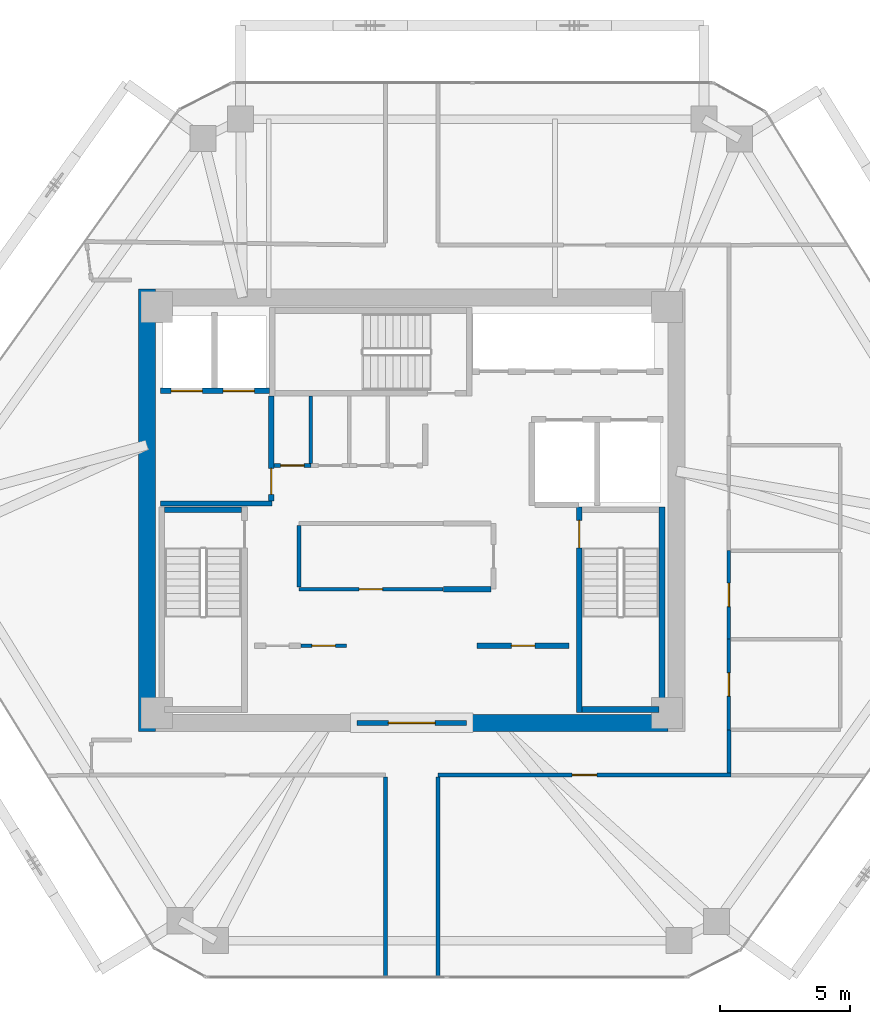
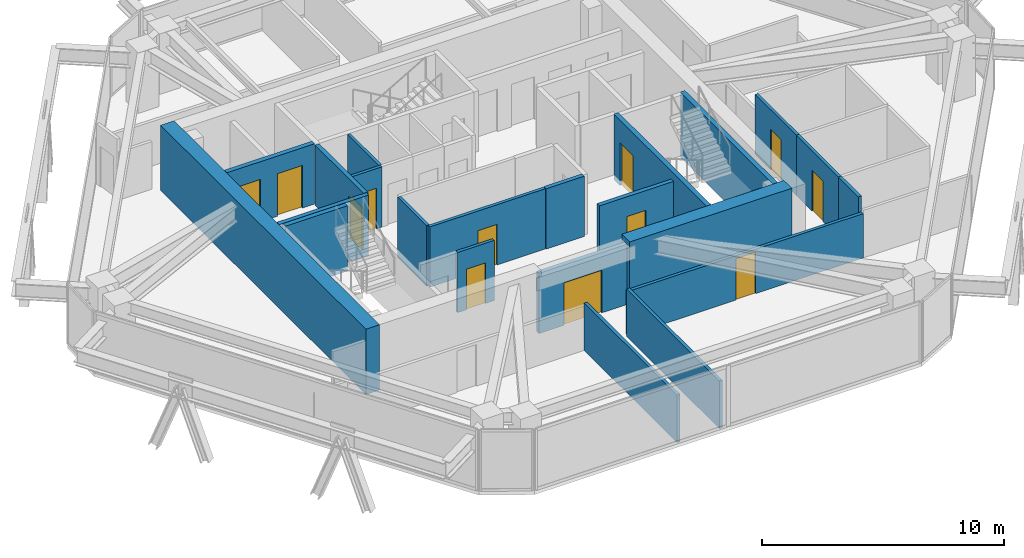
# One storey, part 10 of 13: 23 walls, 12 doors, 12 openings.
"""IFC4 building model written with IfcOpenShell, lengths in metres."""

from ifc_helpers import new_model, si_unit, direction, frame, frame_2d, origin, place, context, subcontext, project, spatial, rectangle, extrude, source, transform, mapped, material, layer, layer_set, type_object, type_shapes, element, fill, save


model = new_model("IFC4")

# Units and contexts
model_context = context("Model", 3, precision=1e-05, world=origin(), true_north=direction((0.0, 1.0)))
body_context = subcontext(model_context, "Body", "Model", "MODEL_VIEW")
ifc_project = project(units=[si_unit("LENGTHUNIT", "METRE"), si_unit("AREAUNIT", "SQUARE_METRE"), si_unit("VOLUMEUNIT", "CUBIC_METRE"), si_unit("PLANEANGLEUNIT", "RADIAN"), si_unit("MASSUNIT", "GRAM", prefix="KILO")], contexts=[model_context])

# Site, building, storey
site_placement = place(None, origin())
site = spatial("IfcSite", under=ifc_project, at=site_placement, CompositionType="ELEMENT")
building_placement = place(site_placement, origin())
building = spatial("IfcBuilding", under=site, at=building_placement, Name="Durnholm Broadcast Tower", CompositionType="ELEMENT")
storey_placement = place(building_placement, frame((0.0, 0.0, 167.199951171875)))
storey = spatial("IfcBuildingStorey", under=building, at=storey_placement, Name="L45", CompositionType="ELEMENT", Elevation=167.199951171875)

# Walls
ifc_material_1 = material(Name="Concrete C70/85", Category="concrete")
ifc_layer_1 = layer(ifc_material_1, 0.64990234375)
ifc_layer_set_1 = layer_set([ifc_layer_1], Name="Concrete C70/85")
wall_type_1 = type_object("IfcWallType", Name="WALL-CW-650", PredefinedType="SHEAR", material=ifc_layer_set_1)
wall_1_placement = place(storey_placement, frame((-10.175048828125, -8.5, 0.0), z_axis=(0.0, 0.0, 1.0), x_axis=(0.0, 1.0, 0.0)))
element("IfcWall", 1, at=wall_1_placement, inside=storey, type_object=wall_type_1, Name="L45 central core shear wall CW-WEST", PredefinedType="SHEAR", context=body_context, shape_type="SweptSolid", body=[
    extrude(rectangle(XDim=17.0, YDim=0.64990234375, at=frame_2d((8.5, 0.0))), origin(), (0.0, 0.0, 1.0), 3.300048828125),
])
wall_2_placement = place(storey_placement, frame((2.10009765625, -8.175048828125, 0.0), z_axis=(0.0, 0.0, 1.0), x_axis=(1.0, 0.0, 0.0)))
element("IfcWall", 2, at=wall_2_placement, inside=storey, type_object=wall_type_1, Name="L45 central core shear wall CW-S2", PredefinedType="SHEAR", context=body_context, shape_type="SweptSolid", body=[
    extrude(rectangle(XDim=7.75, YDim=0.64990234375, at=frame_2d((3.875, 0.0))), origin(), (0.0, 0.0, 1.0), 3.300048828125),
])

# Wall, opening, door
ifc_material_2 = material(Name="Fire-Rated Gypsum Shaftwall", Category="concrete")
ifc_layer_2 = layer(ifc_material_2, 0.199951171875)
ifc_layer_set_2 = layer_set([ifc_layer_2], Name="Fire-Rated Gypsum Shaftwall")
wall_type_2 = type_object("IfcWallType", Name="WALL-LOB-200", PredefinedType="SOLIDWALL", material=ifc_layer_set_2)
wall_3_placement = place(storey_placement, frame((-2.10009765625, -8.175048828125, 0.0), z_axis=(0.0, 0.0, 1.0), x_axis=(1.0, 0.0, 0.0)))
wall_3 = element("IfcWall", 3, at=wall_3_placement, inside=storey, type_object=wall_type_2, Name="L45 south core lobby fire screen", PredefinedType="SOLIDWALL", context=body_context, shape_type="SweptSolid", body=[
    extrude(rectangle(XDim=4.2001953125, YDim=0.199951171875, at=frame_2d((2.10009765625, 0.0))), origin(), (0.0, 0.0, 1.0), 3.045166015625),
])
opening_1_placement = place(wall_3_placement, frame((1.199951171875, 0.0, 0.0)))
opening_1 = element("IfcOpeningElement", 4, at=opening_1_placement, cuts=wall_3, Name="Opening DP-60", PredefinedType="OPENING", context=body_context, shape_type="SweptSolid", body=[
    extrude(rectangle(XDim=1.800048828125, YDim=2.14990234375, at=frame_2d((0.89990234375, 1.074951171875))), frame((0.0, 0.10986328125, 0.0), z_axis=(0.0, -1.0, 0.0), x_axis=(1.0, 0.0, 0.0)), (0.0, 0.0, 1.0), 0.219970703125),
])
ifc_material_3 = material(Name="Fire-Rated Double Corridor Door", Category="steel")
ifc_layer_3 = layer(ifc_material_3, 0.050048828125)
ifc_layer_set_3 = layer_set([ifc_layer_3], Name="Fire-Rated Double Corridor Door")
door_type_1 = type_object("IfcDoorType", Name="DOOR-PAIR-FD60", OperationType="DOUBLE_DOOR_SINGLE_SWING", PredefinedType="DOOR", material=ifc_layer_set_3)
shared_shape_1 = source(origin(), body_context, "Body", "SweptSolid", [
    extrude(rectangle(XDim=1.800048828125, YDim=2.14990234375, at=frame_2d((0.89990234375, 1.074951171875))), frame((0.0, 0.02490234375, 0.0), z_axis=(0.0, -1.0, 0.0), x_axis=(1.0, 0.0, 0.0)), (0.0, 0.0, 1.0), 0.050048828125),
])
type_shapes(door_type_1, [shared_shape_1])
door_1_placement = place(opening_1_placement, origin())
door_1 = element("IfcDoor", 5, at=door_1_placement, inside=storey, type_object=door_type_1, Name="L45 south core lobby double fire door", OperationType="DOUBLE_DOOR_SINGLE_SWING", OverallHeight=2.14990234375, OverallWidth=1.800048828125, PredefinedType="DOOR", context=body_context, shape_type="MappedRepresentation", body=[
    mapped(shared_shape_1, transform((0.0, 0.0, 0.0), x_axis=(1.0, 0.0, 0.0), y_axis=(0.0, 1.0, 0.0), z_axis=(0.0, 0.0, 1.0), scale=1.0)),
])
fill(opening_1, door_1)

# Wall
wall_4_placement = place(storey_placement, frame((-9.64990234375, 0.25, 0.0), z_axis=(0.0, 0.0, 1.0), x_axis=(1.0, 0.0, 0.0)))
element("IfcWall", 6, at=wall_4_placement, inside=storey, type_object=wall_type_2, Name="L45 Fire Service Access Elevator lobby south wall", PredefinedType="SOLIDWALL", context=body_context, shape_type="SweptSolid", body=[
    extrude(rectangle(XDim=4.27001953125, YDim=0.199951171875, at=frame_2d((2.135009765625, 0.0))), origin(), (0.0, 0.0, 1.0), 3.045166015625),
])

# Wall, opening, door
wall_5_placement = place(storey_placement, frame((-5.39990234375, 0.35400390625, 0.0), z_axis=(0.0, 0.0, 1.0), x_axis=(0.0, 1.0, 0.0)))
wall_5 = element("IfcWall", 7, at=wall_5_placement, inside=storey, type_object=wall_type_2, Name="L45 Fire Service Access Elevator lobby east fire wall", PredefinedType="SOLIDWALL", context=body_context, shape_type="SweptSolid", body=[
    extrude(rectangle(XDim=4.02587890625, YDim=0.199951171875, at=frame_2d((2.012939453125, 0.0))), origin(), (0.0, 0.0, 1.0), 3.045166015625),
])
opening_2_placement = place(wall_5_placement, frame((0.24609375, 0.0, 0.0)))
opening_2 = element("IfcOpeningElement", 8, at=opening_2_placement, cuts=wall_5, Name="Opening DL-60R", PredefinedType="OPENING", context=body_context, shape_type="SweptSolid", body=[
    extrude(rectangle(XDim=1.0, YDim=2.14990234375, at=frame_2d((0.5, 1.074951171875))), frame((0.0, 0.10986328125, 0.0), z_axis=(0.0, -1.0, 0.0), x_axis=(1.0, 0.0, 0.0)), (0.0, 0.0, 1.0), 0.219970703125),
])
ifc_material_4 = material(Name="Fire-Rated Timber/Steel Door", Category="steel")
ifc_layer_4 = layer(ifc_material_4, 0.050048828125)
ifc_layer_set_4 = layer_set([ifc_layer_4], Name="Fire-Rated Timber/Steel Door")
door_type_2 = type_object("IfcDoorType", Name="DOOR-LOB-FD60-R", OperationType="NOTDEFINED", PredefinedType="DOOR", material=ifc_layer_set_4)
shared_shape_2 = source(origin(), body_context, "Body", "SweptSolid", [
    extrude(rectangle(XDim=1.0, YDim=2.14990234375, at=frame_2d((0.5, 1.074951171875))), frame((0.0, 0.02490234375, 0.0), z_axis=(0.0, -1.0, 0.0), x_axis=(1.0, 0.0, 0.0)), (0.0, 0.0, 1.0), 0.050048828125),
])
type_shapes(door_type_2, [shared_shape_2])
door_2_placement = place(opening_2_placement, origin())
door_2 = element("IfcDoor", 9, at=door_2_placement, inside=storey, type_object=door_type_2, Name="L45 Fire Service Access Elevator lobby smoke door", OperationType="SINGLE_SWING_RIGHT", OverallHeight=2.14990234375, OverallWidth=1.0, PredefinedType="DOOR", context=body_context, shape_type="MappedRepresentation", body=[
    mapped(shared_shape_2, transform((0.0, 0.0, 0.0), x_axis=(1.0, 0.0, 0.0), y_axis=(0.0, 1.0, 0.0), z_axis=(0.0, 0.0, 1.0), scale=1.0)),
])
fill(opening_2, door_2)

wall_6_placement = place(storey_placement, frame((2.510009765625, -5.2099609375, 0.0), z_axis=(0.0, 0.0, 1.0), x_axis=(1.0, 0.0, 0.0)))
wall_6 = element("IfcWall", 10, at=wall_6_placement, inside=storey, type_object=wall_type_2, Name="L45 Telemetry Control Closet corridor partition", PredefinedType="SOLIDWALL", context=body_context, shape_type="SweptSolid", body=[
    extrude(rectangle(XDim=3.530029296875, YDim=0.199951171875, at=frame_2d((1.76513671875, 0.0))), origin(), (0.0, 0.0, 1.0), 3.045166015625),
])
opening_3_placement = place(wall_6_placement, frame((1.31494140625, 0.0, 0.0)))
opening_3 = element("IfcOpeningElement", 11, at=opening_3_placement, cuts=wall_6, Name="Opening DC-60L", PredefinedType="OPENING", context=body_context, shape_type="SweptSolid", body=[
    extrude(rectangle(XDim=0.89990234375, YDim=2.050048828125, at=frame_2d((0.449951171875, 1.02490234375))), frame((0.0, 0.10986328125, 0.0), z_axis=(0.0, -1.0, 0.0), x_axis=(1.0, 0.0, 0.0)), (0.0, 0.0, 1.0), 0.219970703125),
])
ifc_material_5 = material(Name="Fire-Rated Core Service Door", Category="steel")
ifc_layer_5 = layer(ifc_material_5, 0.050048828125)
ifc_layer_set_5 = layer_set([ifc_layer_5], Name="Fire-Rated Core Service Door")
door_type_3 = type_object("IfcDoorType", Name="DOOR-CORE-FD60-L", OperationType="NOTDEFINED", PredefinedType="DOOR", material=ifc_layer_set_5)
shared_shape_3 = source(origin(), body_context, "Body", "SweptSolid", [
    extrude(rectangle(XDim=0.89990234375, YDim=2.050048828125, at=frame_2d((0.449951171875, 1.02490234375))), frame((0.0, 0.02490234375, 0.0), z_axis=(0.0, -1.0, 0.0), x_axis=(1.0, 0.0, 0.0)), (0.0, 0.0, 1.0), 0.050048828125),
])
type_shapes(door_type_3, [shared_shape_3])
door_3_placement = place(opening_3_placement, origin())
door_3 = element("IfcDoor", 12, at=door_3_placement, inside=storey, type_object=door_type_3, Name="L45 Telemetry Control Closet entrance door", OperationType="SINGLE_SWING_LEFT", OverallHeight=2.050048828125, OverallWidth=0.89990234375, PredefinedType="DOOR", context=body_context, shape_type="MappedRepresentation", body=[
    mapped(shared_shape_3, transform((0.0, 0.0, 0.0), x_axis=(1.0, 0.0, 0.0), y_axis=(0.0, 1.0, 0.0), z_axis=(0.0, 0.0, 1.0), scale=1.0)),
])
fill(opening_3, door_3)

# Walls
wall_7_placement = place(storey_placement, frame((3.035888671875, -3.0400390625, 0.0), z_axis=(0.0, 0.0, 1.0), x_axis=(-1.0, 0.0, 0.0)))
element("IfcWall", 13, at=wall_7_placement, inside=storey, type_object=wall_type_2, Name="L45 Core IT Telecom Room corridor partition", PredefinedType="SOLIDWALL", context=body_context, shape_type="SweptSolid", body=[
    extrude(rectangle(XDim=1.825927734375, YDim=0.199951171875, at=frame_2d((0.9130859375, 0.0))), origin(), (0.0, 0.0, 1.0), 3.045166015625),
])
ifc_material_6 = material(Name="Gypsum Metal Stud Partition", Category="concrete")
ifc_layer_6 = layer(ifc_material_6, 0.135009765625)
ifc_layer_set_6 = layer_set([ifc_layer_6], Name="Gypsum Metal Stud Partition")
wall_type_3 = type_object("IfcWallType", Name="WALL-PART-135", PredefinedType="PARTITIONING", material=ifc_layer_set_6)
wall_8_placement = place(storey_placement, frame((-3.8798828125, 4.375, 0.0), z_axis=(0.0, 0.0, 1.0), x_axis=(0.0, -1.0, 0.0)))
element("IfcWall", 14, at=wall_8_placement, inside=storey, type_object=wall_type_3, Name="L45 room dividing partition 6.7", PredefinedType="PARTITIONING", context=body_context, shape_type="SweptSolid", body=[
    extrude(rectangle(XDim=2.5859375, YDim=0.135009765625, at=frame_2d((1.29296875, 0.0))), origin(), (0.0, 0.0, 1.0), 3.045166015625),
])

# Wall, opening, door
ifc_material_7 = material(Name="Acoustic Gypsum Stud Partition", Category="concrete")
ifc_layer_7 = layer(ifc_material_7, 0.14990234375)
ifc_layer_set_7 = layer_set([ifc_layer_7], Name="Acoustic Gypsum Stud Partition")
wall_type_4 = type_object("IfcWallType", Name="WALL-PART-150", PredefinedType="PARTITIONING", material=ifc_layer_set_7)
wall_9_placement = place(storey_placement, frame((-4.260009765625, -5.2099609375, 0.0), z_axis=(0.0, 0.0, 1.0), x_axis=(1.0, 0.0, 0.0)))
wall_9 = element("IfcWall", 15, at=wall_9_placement, inside=storey, type_object=wall_type_4, Name="L45 Copy and Print Room corridor partition", PredefinedType="PARTITIONING", context=body_context, shape_type="SweptSolid", body=[
    extrude(rectangle(XDim=1.75, YDim=0.14990234375, at=frame_2d((0.875, 0.0))), origin(), (0.0, 0.0, 1.0), 3.045166015625),
])
opening_4_placement = place(wall_9_placement, frame((0.425048828125, 0.0, 0.0)))
opening_4 = element("IfcOpeningElement", 16, at=opening_4_placement, cuts=wall_9, Name="Opening DC-60R", PredefinedType="OPENING", context=body_context, shape_type="SweptSolid", body=[
    extrude(rectangle(XDim=0.89990234375, YDim=2.050048828125, at=frame_2d((0.449951171875, 1.02490234375))), frame((0.0, 0.0849609375, 0.0), z_axis=(0.0, -1.0, 0.0), x_axis=(1.0, 0.0, 0.0)), (0.0, 0.0, 1.0), 0.169921875),
])
ifc_layer_8 = layer(ifc_material_5, 0.050048828125)
ifc_layer_set_8 = layer_set([ifc_layer_8], Name="Fire-Rated Core Service Door")
door_type_4 = type_object("IfcDoorType", Name="DOOR-CORE-FD60-R", OperationType="NOTDEFINED", PredefinedType="DOOR", material=ifc_layer_set_8)
shared_shape_4 = source(origin(), body_context, "Body", "SweptSolid", [
    extrude(rectangle(XDim=0.89990234375, YDim=2.050048828125, at=frame_2d((0.449951171875, 1.02490234375))), frame((0.0, 0.02490234375, 0.0), z_axis=(0.0, -1.0, 0.0), x_axis=(1.0, 0.0, 0.0)), (0.0, 0.0, 1.0), 0.050048828125),
])
type_shapes(door_type_4, [shared_shape_4])
door_4_placement = place(opening_4_placement, origin())
door_4 = element("IfcDoor", 17, at=door_4_placement, inside=storey, type_object=door_type_4, Name="L45 Copy and Print Room entrance door", OperationType="SINGLE_SWING_RIGHT", OverallHeight=2.050048828125, OverallWidth=0.89990234375, PredefinedType="DOOR", context=body_context, shape_type="MappedRepresentation", body=[
    mapped(shared_shape_4, transform((0.0, 0.0, 0.0), x_axis=(1.0, 0.0, 0.0), y_axis=(0.0, 1.0, 0.0), z_axis=(0.0, 0.0, 1.0), scale=1.0)),
])
fill(opening_4, door_4)

wall_10_placement = place(storey_placement, frame((1.18994140625, -3.0400390625, 0.0), z_axis=(0.0, 0.0, 1.0), x_axis=(-1.0, 0.0, 0.0)))
wall_10 = element("IfcWall", 18, at=wall_10_placement, inside=storey, type_object=wall_type_4, Name="L45 Broadcast Equipment Store corridor partition", PredefinedType="PARTITIONING", context=body_context, shape_type="SweptSolid", body=[
    extrude(rectangle(XDim=5.530029296875, YDim=0.14990234375, at=frame_2d((2.76513671875, 0.0))), origin(), (0.0, 0.0, 1.0), 3.045166015625),
])
opening_5_placement = place(wall_10_placement, frame((2.31494140625, 0.0, 0.0)))
opening_5 = element("IfcOpeningElement", 19, at=opening_5_placement, cuts=wall_10, Name="Opening DC-60R", PredefinedType="OPENING", context=body_context, shape_type="SweptSolid", body=[
    extrude(rectangle(XDim=0.89990234375, YDim=2.050048828125, at=frame_2d((0.449951171875, 1.02490234375))), frame((0.0, 0.0849609375, 0.0), z_axis=(0.0, -1.0, 0.0), x_axis=(1.0, 0.0, 0.0)), (0.0, 0.0, 1.0), 0.169921875),
])
door_5_placement = place(opening_5_placement, origin())
door_5 = element("IfcDoor", 20, at=door_5_placement, inside=storey, type_object=door_type_4, Name="L45 Broadcast Equipment Store entrance door", OperationType="SINGLE_SWING_RIGHT", OverallHeight=2.050048828125, OverallWidth=0.89990234375, PredefinedType="DOOR", context=body_context, shape_type="MappedRepresentation", body=[
    mapped(shared_shape_4, transform((0.0, 0.0, 0.0), x_axis=(1.0, 0.0, 0.0), y_axis=(0.0, 1.0, 0.0), z_axis=(0.0, 0.0, 1.0), scale=1.0)),
])
fill(opening_5, door_5)

# Wall
wall_11_placement = place(storey_placement, frame((-4.340087890625, -2.9609375, 0.0), z_axis=(0.0, 0.0, 1.0), x_axis=(0.0, 1.0, 0.0)))
element("IfcWall", 21, at=wall_11_placement, inside=storey, type_object=wall_type_4, Name="L45 Broadcast Equipment Store corridor partition", PredefinedType="PARTITIONING", context=body_context, shape_type="SweptSolid", body=[
    extrude(rectangle(XDim=2.371826171875, YDim=0.14990234375, at=frame_2d((1.18603515625, 0.0))), origin(), (0.0, 0.0, 1.0), 3.045166015625),
])

# Wall, opening, door
wall_12_placement = place(storey_placement, frame((-3.8798828125, 1.7099609375, 0.0), z_axis=(0.0, 0.0, 1.0), x_axis=(-1.0, 0.0, 0.0)))
wall_12 = element("IfcWall", 22, at=wall_12_placement, inside=storey, type_object=wall_type_4, Name="L45 Core First Aid Store corridor partition", PredefinedType="PARTITIONING", context=body_context, shape_type="SweptSolid", body=[
    extrude(rectangle(XDim=1.416015625, YDim=0.14990234375, at=frame_2d((0.7080078125, 0.0))), origin(), (0.0, 0.0, 1.0), 3.045166015625),
])
opening_6_placement = place(wall_12_placement, frame((0.258056640625, 0.0, 0.0)))
opening_6 = element("IfcOpeningElement", 23, at=opening_6_placement, cuts=wall_12, Name="Opening DC-60R", PredefinedType="OPENING", context=body_context, shape_type="SweptSolid", body=[
    extrude(rectangle(XDim=0.89990234375, YDim=2.050048828125, at=frame_2d((0.449951171875, 1.02490234375))), frame((0.0, 0.0849609375, 0.0), z_axis=(0.0, -1.0, 0.0), x_axis=(1.0, 0.0, 0.0)), (0.0, 0.0, 1.0), 0.169921875),
])
door_6_placement = place(opening_6_placement, origin())
door_6 = element("IfcDoor", 24, at=door_6_placement, inside=storey, type_object=door_type_4, Name="L45 Core First Aid Store entrance door", OperationType="SINGLE_SWING_RIGHT", OverallHeight=2.050048828125, OverallWidth=0.89990234375, PredefinedType="DOOR", context=body_context, shape_type="MappedRepresentation", body=[
    mapped(shared_shape_4, transform((0.0, 0.0, 0.0), x_axis=(1.0, 0.0, 0.0), y_axis=(0.0, 1.0, 0.0), z_axis=(0.0, 0.0, 1.0), scale=1.0)),
])
fill(opening_6, door_6)

# Wall
wall_13_placement = place(storey_placement, frame((-1.010009765625, -10.259033203125, 0.0), z_axis=(0.0, 0.0, 1.0), x_axis=(0.0, -1.0, 0.0)))
element("IfcWall", 25, at=wall_13_placement, inside=storey, type_object=wall_type_4, Name="L45 Research Commons Lounge corridor partition", PredefinedType="PARTITIONING", context=body_context, shape_type="SweptSolid", body=[
    extrude(rectangle(XDim=7.682861328125, YDim=0.14990234375, at=frame_2d((3.84130859375, 0.0))), origin(), (0.0, 0.0, 1.0), 2.39892578125),
])

# Wall, opening, door
wall_14_placement = place(storey_placement, frame((1.010009765625, -10.179931640625, 0.0), z_axis=(0.0, 0.0, 1.0), x_axis=(1.0, 0.0, 0.0)))
wall_14 = element("IfcWall", 26, at=wall_14_placement, inside=storey, type_object=wall_type_4, Name="L45 Lab Catering Kitchen corridor partition", PredefinedType="PARTITIONING", context=body_context, shape_type="SweptSolid", body=[
    extrude(rectangle(XDim=11.25, YDim=0.14990234375, at=frame_2d((5.625, 0.0))), origin(), (0.0, 0.0, 1.0), 2.241943359375),
])
opening_7_placement = place(wall_14_placement, frame((5.14990234375, 0.0, 0.0)))
opening_7 = element("IfcOpeningElement", 27, at=opening_7_placement, cuts=wall_14, Name="Opening DR-95R", PredefinedType="OPENING", context=body_context, shape_type="SweptSolid", body=[
    extrude(rectangle(XDim=0.949951171875, YDim=2.10009765625, at=frame_2d((0.47509765625, 1.050048828125))), frame((0.0, 0.0849609375, 0.0), z_axis=(0.0, -1.0, 0.0), x_axis=(1.0, 0.0, 0.0)), (0.0, 0.0, 1.0), 0.169921875),
])
ifc_material_8 = material(Name="Acoustic Oak Veneer Timber Door", Category="wood")
ifc_layer_9 = layer(ifc_material_8, 0.050048828125)
ifc_layer_set_9 = layer_set([ifc_layer_9], Name="Acoustic Oak Veneer Timber Door")
door_type_5 = type_object("IfcDoorType", Name="DOOR-RM-950R", OperationType="NOTDEFINED", PredefinedType="DOOR", material=ifc_layer_set_9)
shared_shape_5 = source(origin(), body_context, "Body", "SweptSolid", [
    extrude(rectangle(XDim=0.949951171875, YDim=2.10009765625, at=frame_2d((0.47509765625, 1.050048828125))), frame((0.0, 0.02490234375, 0.0), z_axis=(0.0, -1.0, 0.0), x_axis=(1.0, 0.0, 0.0)), (0.0, 0.0, 1.0), 0.050048828125),
])
type_shapes(door_type_5, [shared_shape_5])
door_7_placement = place(opening_7_placement, origin())
door_7 = element("IfcDoor", 28, at=door_7_placement, inside=storey, type_object=door_type_5, Name="L45 Lab Catering Kitchen entrance door", OperationType="SINGLE_SWING_RIGHT", OverallHeight=2.10009765625, OverallWidth=0.949951171875, PredefinedType="DOOR", context=body_context, shape_type="MappedRepresentation", body=[
    mapped(shared_shape_5, transform((0.0, 0.0, 0.0), x_axis=(1.0, 0.0, 0.0), y_axis=(0.0, 1.0, 0.0), z_axis=(0.0, 0.0, 1.0), scale=1.0)),
])
fill(opening_7, door_7)

# Walls
wall_15_placement = place(storey_placement, frame((1.010009765625, -17.94189453125, 0.0), z_axis=(0.0, 0.0, 1.0), x_axis=(0.0, 1.0, 0.0)))
element("IfcWall", 29, at=wall_15_placement, inside=storey, type_object=wall_type_4, Name="L45 Lab Catering Kitchen corridor partition", PredefinedType="PARTITIONING", context=body_context, shape_type="SweptSolid", body=[
    extrude(rectangle(XDim=7.682861328125, YDim=0.14990234375, at=frame_2d((3.84130859375, 0.0))), origin(), (0.0, 0.0, 1.0), 2.39892578125),
])
wall_16_placement = place(storey_placement, frame((12.179931640625, -10.10107421875, 0.0), z_axis=(0.0, 0.0, 1.0), x_axis=(0.0, 1.0, 0.0)))
element("IfcWall", 30, at=wall_16_placement, inside=storey, type_object=wall_type_4, Name="L45 Immersive Audio Auditorium corridor partition", PredefinedType="PARTITIONING", context=body_context, shape_type="SweptSolid", body=[
    extrude(rectangle(XDim=1.6611328125, YDim=0.14990234375, at=frame_2d((0.83056640625, 0.0))), origin(), (0.0, 0.0, 1.0), 3.045166015625),
])

# Wall, openings, doors
ifc_material_9 = material(Name="Concrete Blockwork C30/37", Category="masonry")
ifc_layer_10 = layer(ifc_material_9, 0.219970703125)
ifc_layer_set_10 = layer_set([ifc_layer_10], Name="Concrete Blockwork C30/37")
wall_type_5 = type_object("IfcWallType", Name="WALL-SHAFT-220", PredefinedType="SOLIDWALL", material=ifc_layer_set_10)
wall_17_placement = place(storey_placement, frame((-9.64990234375, 4.580078125, 0.0), z_axis=(0.0, 0.0, 1.0), x_axis=(1.0, 0.0, 0.0)))
wall_17 = element("IfcWall", 31, at=wall_17_placement, inside=storey, type_object=wall_type_5, Name="L45 FSAE hoistway front fire wall", PredefinedType="SOLIDWALL", context=body_context, shape_type="SweptSolid", body=[
    extrude(rectangle(XDim=4.1748046875, YDim=0.219970703125, at=frame_2d((2.08740234375, 0.0))), origin(), (0.0, 0.0, 1.0), 3.045166015625),
])
opening_8_placement = place(wall_17_placement, frame((0.39990234375, 0.0, 0.0)))
opening_8 = element("IfcOpeningElement", 32, at=opening_8_placement, cuts=wall_17, Name="Opening LD-FSAE-2", PredefinedType="OPENING", context=body_context, shape_type="SweptSolid", body=[
    extrude(rectangle(XDim=1.199951171875, YDim=2.14990234375, at=frame_2d((0.60009765625, 1.074951171875))), frame((0.0, 0.1201171875, 0.0), z_axis=(0.0, -1.0, 0.0), x_axis=(1.0, 0.0, 0.0)), (0.0, 0.0, 1.0), 0.239990234375),
])
opening_9_placement = place(wall_17_placement, frame((2.39990234375, 0.0, 0.0)))
opening_9 = element("IfcOpeningElement", 33, at=opening_9_placement, cuts=wall_17, Name="Opening LD-FSAE-1", PredefinedType="OPENING", context=body_context, shape_type="SweptSolid", body=[
    extrude(rectangle(XDim=1.199951171875, YDim=2.14990234375, at=frame_2d((0.60009765625, 1.074951171875))), frame((0.0, 0.1201171875, 0.0), z_axis=(0.0, -1.0, 0.0), x_axis=(1.0, 0.0, 0.0)), (0.0, 0.0, 1.0), 0.239990234375),
])
ifc_material_10 = material(Name="Fire Service Access Sliding Landing Door", Category="steel")
ifc_layer_11 = layer(ifc_material_10, 0.050048828125)
ifc_layer_set_11 = layer_set([ifc_layer_11], Name="Fire Service Access Sliding Landing Door")
door_type_6 = type_object("IfcDoorType", Name="DOOR-LIFT-FSAE", OperationType="DOUBLE_DOOR_SLIDING", PredefinedType="DOOR", material=ifc_layer_set_11)
shared_shape_6 = source(origin(), body_context, "Body", "SweptSolid", [
    extrude(rectangle(XDim=1.199951171875, YDim=2.14990234375, at=frame_2d((0.60009765625, 1.074951171875))), frame((0.0, 0.02490234375, 0.0), z_axis=(0.0, -1.0, 0.0), x_axis=(1.0, 0.0, 0.0)), (0.0, 0.0, 1.0), 0.050048828125),
])
type_shapes(door_type_6, [shared_shape_6])
door_8_placement = place(opening_8_placement, origin())
door_8 = element("IfcDoor", 34, at=door_8_placement, inside=storey, type_object=door_type_6, Name="L45 Fire Service Access Elevator FSAE-2 sliding landing door", OperationType="DOUBLE_DOOR_SLIDING", OverallHeight=2.14990234375, OverallWidth=1.199951171875, PredefinedType="DOOR", context=body_context, shape_type="MappedRepresentation", body=[
    mapped(shared_shape_6, transform((0.0, 0.0, 0.0), x_axis=(1.0, 0.0, 0.0), y_axis=(0.0, 1.0, 0.0), z_axis=(0.0, 0.0, 1.0), scale=1.0)),
])
fill(opening_8, door_8)
door_9_placement = place(opening_9_placement, origin())
door_9 = element("IfcDoor", 35, at=door_9_placement, inside=storey, type_object=door_type_6, Name="L45 Fire Service Access Elevator FSAE-1 sliding landing door", OperationType="DOUBLE_DOOR_SLIDING", OverallHeight=2.14990234375, OverallWidth=1.199951171875, PredefinedType="DOOR", context=body_context, shape_type="MappedRepresentation", body=[
    mapped(shared_shape_6, transform((0.0, 0.0, 0.0), x_axis=(1.0, 0.0, 0.0), y_axis=(0.0, 1.0, 0.0), z_axis=(0.0, 0.0, 1.0), scale=1.0)),
])
fill(opening_9, door_9)

# Walls
ifc_material_11 = material(Name="Concrete C50/60", Category="concrete")
ifc_layer_12 = layer(ifc_material_11, 0.219970703125)
ifc_layer_set_12 = layer_set([ifc_layer_12], Name="Concrete C50/60")
wall_type_6 = type_object("IfcWallType", Name="WALL-SW-220", PredefinedType="SHEAR", material=ifc_layer_set_12)
wall_18_placement = place(storey_placement, frame((-6.5400390625, 0.010009765625, -0.239990234375), z_axis=(0.0, 0.0, 1.0), x_axis=(-1.0, 0.0, 0.0)))
element("IfcWall", 36, at=wall_18_placement, inside=storey, type_object=wall_type_6, Name="L45 stair ST-1 structural shaft wall N", PredefinedType="SHEAR", context=body_context, shape_type="SweptSolid", body=[
    extrude(rectangle(XDim=2.9599609375, YDim=0.219970703125, at=frame_2d((1.47998046875, 0.0))), origin(), (0.0, 0.0, 1.0), 3.300048828125),
])
wall_19_placement = place(storey_placement, frame((9.610107421875, -7.77001953125, -0.239990234375), z_axis=(0.0, 0.0, 1.0), x_axis=(0.0, 1.0, 0.0)))
element("IfcWall", 37, at=wall_19_placement, inside=storey, type_object=wall_type_6, Name="L45 stair ST-2 structural shaft wall E", PredefinedType="SHEAR", context=body_context, shape_type="SweptSolid", body=[
    extrude(rectangle(XDim=7.89013671875, YDim=0.219970703125, at=frame_2d((3.945068359375, 0.0))), origin(), (0.0, 0.0, 1.0), 3.300048828125),
])

# Wall, opening, door
wall_20_placement = place(storey_placement, frame((6.429931640625, 0.1201171875, -0.239990234375), z_axis=(0.0, 0.0, 1.0), x_axis=(0.0, -1.0, 0.0)))
wall_20 = element("IfcWall", 38, at=wall_20_placement, inside=storey, type_object=wall_type_6, Name="L45 stair ST-2 structural shaft wall W", PredefinedType="SHEAR", context=body_context, shape_type="SweptSolid", body=[
    extrude(rectangle(XDim=7.89013671875, YDim=0.219970703125, at=frame_2d((3.945068359375, 0.0))), origin(), (0.0, 0.0, 1.0), 3.300048828125),
])
opening_10_placement = place(wall_20_placement, frame((0.52001953125, 0.0, 0.0)))
opening_10 = element("IfcOpeningElement", 39, at=opening_10_placement, cuts=wall_20, Name="Opening DS-90R", PredefinedType="OPENING", context=body_context, shape_type="SweptSolid", body=[
    extrude(rectangle(XDim=1.050048828125, YDim=2.14990234375, at=frame_2d((0.52490234375, 1.074951171875))), frame((0.0, 0.1201171875, 0.0), z_axis=(0.0, -1.0, 0.0), x_axis=(1.0, 0.0, 0.0)), (0.0, 0.0, 1.0), 0.239990234375),
])
ifc_material_12 = material(Name="Fire-Rated Steel Door", Category="steel")
ifc_layer_13 = layer(ifc_material_12, 0.050048828125)
ifc_layer_set_13 = layer_set([ifc_layer_13], Name="Fire-Rated Steel Door")
door_type_7 = type_object("IfcDoorType", Name="DOOR-ST-FD90-R", OperationType="NOTDEFINED", PredefinedType="DOOR", material=ifc_layer_set_13)
shared_shape_7 = source(origin(), body_context, "Body", "SweptSolid", [
    extrude(rectangle(XDim=1.050048828125, YDim=2.14990234375, at=frame_2d((0.52490234375, 1.074951171875))), frame((0.0, 0.02490234375, 0.0), z_axis=(0.0, -1.0, 0.0), x_axis=(1.0, 0.0, 0.0)), (0.0, 0.0, 1.0), 0.050048828125),
])
type_shapes(door_type_7, [shared_shape_7])
door_10_placement = place(opening_10_placement, origin())
door_10 = element("IfcDoor", 40, at=door_10_placement, inside=storey, type_object=door_type_7, Name="L45 exit stair ST-2 fire door", OperationType="SINGLE_SWING_RIGHT", OverallHeight=2.14990234375, OverallWidth=1.050048828125, PredefinedType="DOOR", context=body_context, shape_type="MappedRepresentation", body=[
    mapped(shared_shape_7, transform((0.0, 0.0, 0.0), x_axis=(1.0, 0.0, 0.0), y_axis=(0.0, 1.0, 0.0), z_axis=(0.0, 0.0, 1.0), scale=1.0)),
])
fill(opening_10, door_10)

# Wall
wall_21_placement = place(storey_placement, frame((6.5400390625, -7.659912109375, -0.239990234375), z_axis=(0.0, 0.0, 1.0), x_axis=(1.0, 0.0, 0.0)))
element("IfcWall", 41, at=wall_21_placement, inside=storey, type_object=wall_type_6, Name="L45 stair ST-2 structural shaft wall S", PredefinedType="SHEAR", context=body_context, shape_type="SweptSolid", body=[
    extrude(rectangle(XDim=2.9599609375, YDim=0.219970703125, at=frame_2d((1.47998046875, 0.0))), origin(), (0.0, 0.0, 1.0), 3.300048828125),
])

# Wall, opening, door
ifc_material_13 = material(Name="Moisture-Resistant Tile Partition", Category="concrete")
ifc_layer_14 = layer(ifc_material_13, 0.139892578125)
ifc_layer_set_14 = layer_set([ifc_layer_14], Name="Moisture-Resistant Tile Partition")
wall_type_7 = type_object("IfcWallType", Name="WALL-WC-140", PredefinedType="PARTITIONING", material=ifc_layer_set_14)
wall_22_placement = place(storey_placement, frame((12.179931640625, -8.43994140625, 0.0), z_axis=(0.0, 0.0, 1.0), x_axis=(0.0, 1.0, 0.0)))
wall_22 = element("IfcWall", 42, at=wall_22_placement, inside=storey, type_object=wall_type_7, Name="L45 Men's Restroom corridor partition", PredefinedType="PARTITIONING", context=body_context, shape_type="SweptSolid", body=[
    extrude(rectangle(XDim=3.47998046875, YDim=0.139892578125, at=frame_2d((1.739990234375, 0.0))), origin(), (0.0, 0.0, 1.0), 3.045166015625),
])
opening_11_placement = place(wall_22_placement, frame((1.2900390625, 0.0, 0.0)))
opening_11 = element("IfcOpeningElement", 43, at=opening_11_placement, cuts=wall_22, Name="Opening DW-90R", PredefinedType="OPENING", context=body_context, shape_type="SweptSolid", body=[
    extrude(rectangle(XDim=0.89990234375, YDim=2.050048828125, at=frame_2d((0.449951171875, 1.02490234375))), frame((0.0, 0.080078125, 0.0), z_axis=(0.0, -1.0, 0.0), x_axis=(1.0, 0.0, 0.0)), (0.0, 0.0, 1.0), 0.159912109375),
])
ifc_material_14 = material(Name="Laminate Restroom Door", Category="steel")
ifc_layer_15 = layer(ifc_material_14, 0.050048828125)
ifc_layer_set_15 = layer_set([ifc_layer_15], Name="Laminate Restroom Door")
door_type_8 = type_object("IfcDoorType", Name="DOOR-WC-900R", OperationType="NOTDEFINED", PredefinedType="DOOR", material=ifc_layer_set_15)
shared_shape_8 = source(origin(), body_context, "Body", "SweptSolid", [
    extrude(rectangle(XDim=0.89990234375, YDim=2.050048828125, at=frame_2d((0.449951171875, 1.02490234375))), frame((0.0, 0.02490234375, 0.0), z_axis=(0.0, -1.0, 0.0), x_axis=(1.0, 0.0, 0.0)), (0.0, 0.0, 1.0), 0.050048828125),
])
type_shapes(door_type_8, [shared_shape_8])
door_11_placement = place(opening_11_placement, origin())
door_11 = element("IfcDoor", 44, at=door_11_placement, inside=storey, type_object=door_type_8, Name="L45 Men's Restroom entrance door", OperationType="SINGLE_SWING_RIGHT", OverallHeight=2.050048828125, OverallWidth=0.89990234375, PredefinedType="DOOR", context=body_context, shape_type="MappedRepresentation", body=[
    mapped(shared_shape_8, transform((0.0, 0.0, 0.0), x_axis=(1.0, 0.0, 0.0), y_axis=(0.0, 1.0, 0.0), z_axis=(0.0, 0.0, 1.0), scale=1.0)),
])
fill(opening_11, door_11)

wall_23_placement = place(storey_placement, frame((12.179931640625, -4.9599609375, 0.0), z_axis=(0.0, 0.0, 1.0), x_axis=(0.0, 1.0, 0.0)))
wall_23 = element("IfcWall", 45, at=wall_23_placement, inside=storey, type_object=wall_type_7, Name="L45 Women's Restroom corridor partition", PredefinedType="PARTITIONING", context=body_context, shape_type="SweptSolid", body=[
    extrude(rectangle(XDim=3.39990234375, YDim=0.139892578125, at=frame_2d((1.699951171875, 0.0))), origin(), (0.0, 0.0, 1.0), 3.045166015625),
])
opening_12_placement = place(wall_23_placement, frame((1.25, 0.0, 0.0)))
opening_12 = element("IfcOpeningElement", 46, at=opening_12_placement, cuts=wall_23, Name="Opening DW-90L", PredefinedType="OPENING", context=body_context, shape_type="SweptSolid", body=[
    extrude(rectangle(XDim=0.89990234375, YDim=2.050048828125, at=frame_2d((0.449951171875, 1.02490234375))), frame((0.0, 0.080078125, 0.0), z_axis=(0.0, -1.0, 0.0), x_axis=(1.0, 0.0, 0.0)), (0.0, 0.0, 1.0), 0.159912109375),
])
ifc_layer_16 = layer(ifc_material_14, 0.050048828125)
ifc_layer_set_16 = layer_set([ifc_layer_16], Name="Laminate Restroom Door")
door_type_9 = type_object("IfcDoorType", Name="DOOR-WC-900L", OperationType="NOTDEFINED", PredefinedType="DOOR", material=ifc_layer_set_16)
shared_shape_9 = source(origin(), body_context, "Body", "SweptSolid", [
    extrude(rectangle(XDim=0.89990234375, YDim=2.050048828125, at=frame_2d((0.449951171875, 1.02490234375))), frame((0.0, 0.02490234375, 0.0), z_axis=(0.0, -1.0, 0.0), x_axis=(1.0, 0.0, 0.0)), (0.0, 0.0, 1.0), 0.050048828125),
])
type_shapes(door_type_9, [shared_shape_9])
door_12_placement = place(opening_12_placement, origin())
door_12 = element("IfcDoor", 47, at=door_12_placement, inside=storey, type_object=door_type_9, Name="L45 Women's Restroom entrance door", OperationType="SINGLE_SWING_LEFT", OverallHeight=2.050048828125, OverallWidth=0.89990234375, PredefinedType="DOOR", context=body_context, shape_type="MappedRepresentation", body=[
    mapped(shared_shape_9, transform((0.0, 0.0, 0.0), x_axis=(1.0, 0.0, 0.0), y_axis=(0.0, 1.0, 0.0), z_axis=(0.0, 0.0, 1.0), scale=1.0)),
])
fill(opening_12, door_12)

save(model, "model.ifc")
